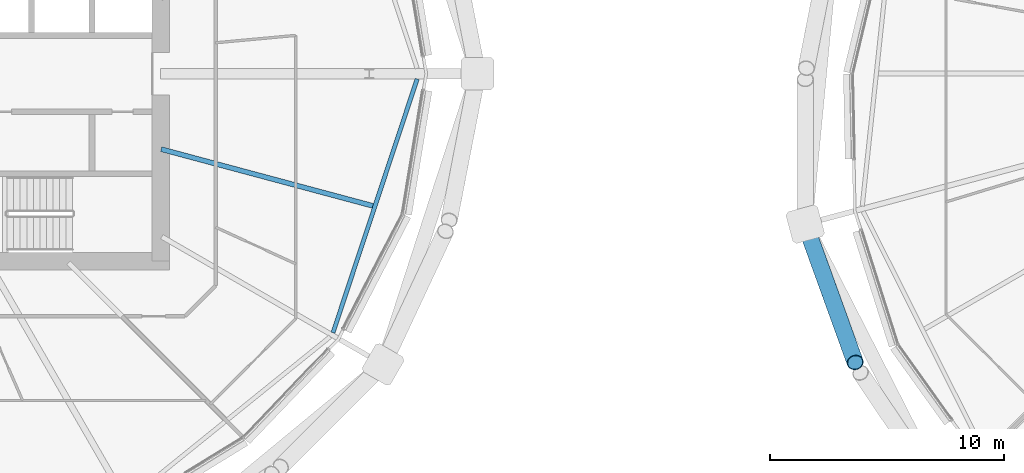
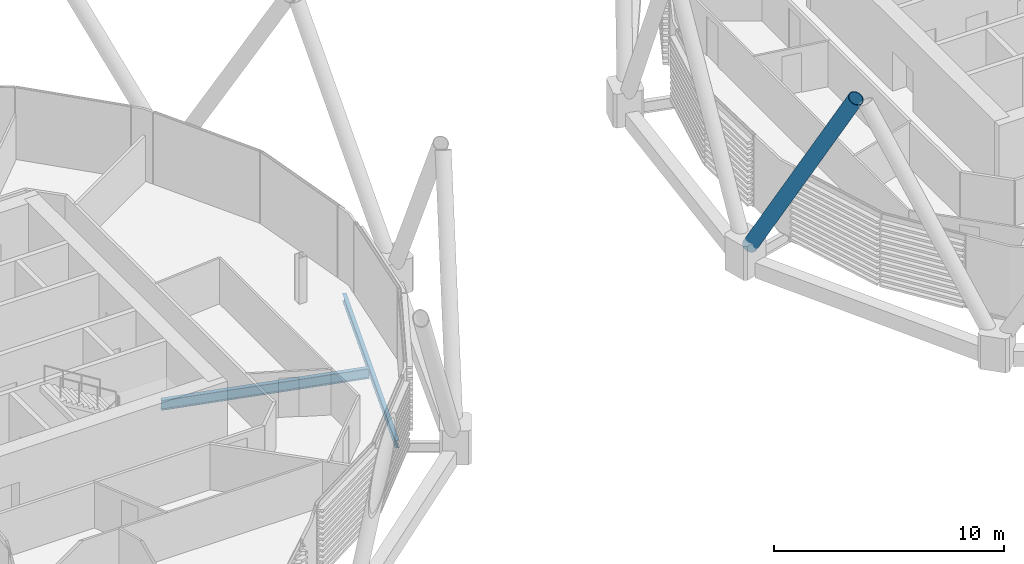
# One storey, part 8 of 38: 2 beams, 1 member.
"""IFC4 building model written with IfcOpenShell, lengths in metres."""

from ifc_helpers import new_model, si_unit, direction, frame, origin, origin_2d, place, context, subcontext, project, spatial, hollow_circle, i_section, extrude, material, material_profile, profile_set, type_object, element, save


model = new_model("IFC4")

# Units and contexts
model_context = context("Model", 3, precision=1e-05, world=origin(), true_north=direction((0.0, 1.0)))
body_context = subcontext(model_context, "Body", "Model", "MODEL_VIEW")
ifc_project = project(units=[si_unit("LENGTHUNIT", "METRE"), si_unit("AREAUNIT", "SQUARE_METRE"), si_unit("VOLUMEUNIT", "CUBIC_METRE"), si_unit("PLANEANGLEUNIT", "RADIAN"), si_unit("MASSUNIT", "GRAM", prefix="KILO")], contexts=[model_context])

# Site, building, storey
site_placement = place(None, origin())
site = spatial("IfcSite", under=ifc_project, at=site_placement, CompositionType="ELEMENT")
building_placement = place(site_placement, origin())
building = spatial("IfcBuilding", under=site, at=building_placement, Name="Rimbun Link Towers", CompositionType="ELEMENT")
storey_placement = place(building_placement, frame((0.0, 0.0, 104.39990234375)))
storey = spatial("IfcBuildingStorey", under=building, at=storey_placement, Name="L25", CompositionType="ELEMENT", Elevation=104.39990234375)

# Member
ifc_material_1 = material(Name="Steel S460NH", Category="steel")
ifc_material_profile_1 = material_profile(ifc_material_1, hollow_circle(Radius=0.355712890625, WallThickness=0.031982421875, at=origin_2d()), Name="Diagrid diagonal CHS 711x32")
ifc_profile_set_1 = profile_set([ifc_material_profile_1], Name="Steel S460NH")
member_type = type_object("IfcMemberType", Name="Diagrid diagonal CHS 711x32", PredefinedType="BRACE", material=ifc_profile_set_1)
member_placement = place(storey_placement, frame((7.8544921875, -6.658935546875, 0.43408203125), z_axis=(0.16895796156, -0.467264618541, 0.867823129148), x_axis=(0.940410110732, 0.340042385054, 0.0)))
element("IfcMember", 1, at=member_placement, inside=storey, type_object=member_type, Name="Diagrid diagonal T2 L25-L28 10b", PredefinedType="BRACE", context=body_context, shape_type="SweptSolid", body=[
    extrude(hollow_circle(Radius=0.355712890625, WallThickness=0.031982421875, at=origin_2d()), origin(), (0.0, 0.0, 1.0), 12.136474609375),
])

# Beams
ifc_material_2 = material(Name="Steel S355J2", Category="steel")
ifc_material_profile_2 = material_profile(ifc_material_2, i_section(OverallWidth=0.177978515625, OverallDepth=0.406494140625, WebThickness=0.0078125, FlangeThickness=0.0126953125, at=origin_2d()), Name="UB 406x178x60")
ifc_profile_set_2 = profile_set([ifc_material_profile_2], Name="Steel S355J2")
beam_type_1 = type_object("IfcBeamType", Name="UB 406x178x60", PredefinedType="BEAM", material=ifc_profile_set_2)
beam_1_placement = place(storey_placement, frame((-12.3876953125, -11.056884765625, -0.363037109375), z_axis=(0.3147832435, 0.949163584221, 0.0), x_axis=(-0.949163584221, 0.3147832435, 0.0)))
element("IfcBeam", 2, at=beam_1_placement, inside=storey, type_object=beam_type_1, Name="Edge beam T1 L25 22-00", PredefinedType="BEAM", context=body_context, shape_type="SweptSolid", body=[
    extrude(i_section(OverallWidth=0.177978515625, OverallDepth=0.406494140625, WebThickness=0.0078125, FlangeThickness=0.0126953125, at=origin_2d()), origin(), (0.0, 0.0, 1.0), 11.4111328125),
])
ifc_material_3 = material(Name="Steel S355J2", Category="steel")
ifc_material_profile_3 = material_profile(ifc_material_3, i_section(OverallWidth=0.209228515625, OverallDepth=0.533203125, WebThickness=0.010009765625, FlangeThickness=0.015625, at=origin_2d()), Name="UB 533x210x92")
ifc_profile_set_3 = profile_set([ifc_material_profile_3], Name="Steel S355J2")
beam_type_2 = type_object("IfcBeamType", Name="UB 533x210x92", PredefinedType="BEAM", material=ifc_profile_set_3)
beam_2_placement = place(storey_placement, frame((-19.721923828125, -3.222900390625, -0.426513671875), z_axis=(0.965924050136, -0.258825673706, 0.0), x_axis=(0.258825673706, 0.965924050136, 0.0)))
element("IfcBeam", 3, at=beam_2_placement, inside=storey, type_object=beam_type_2, Name="Radial beam T1 L25 23", PredefinedType="BEAM", context=body_context, shape_type="SweptSolid", body=[
    extrude(i_section(OverallWidth=0.209228515625, OverallDepth=0.533203125, WebThickness=0.010009765625, FlangeThickness=0.015625, at=origin_2d()), origin(), (0.0, 0.0, 1.0), 9.353515625),
])

save(model, "model.ifc")
